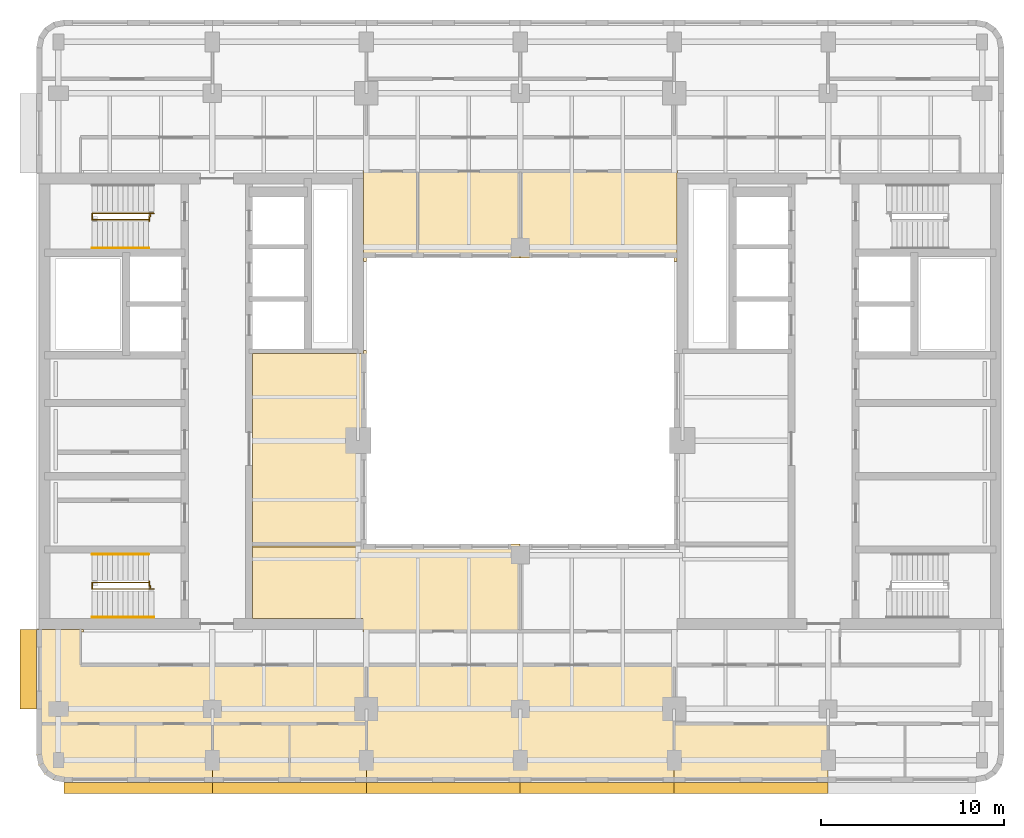
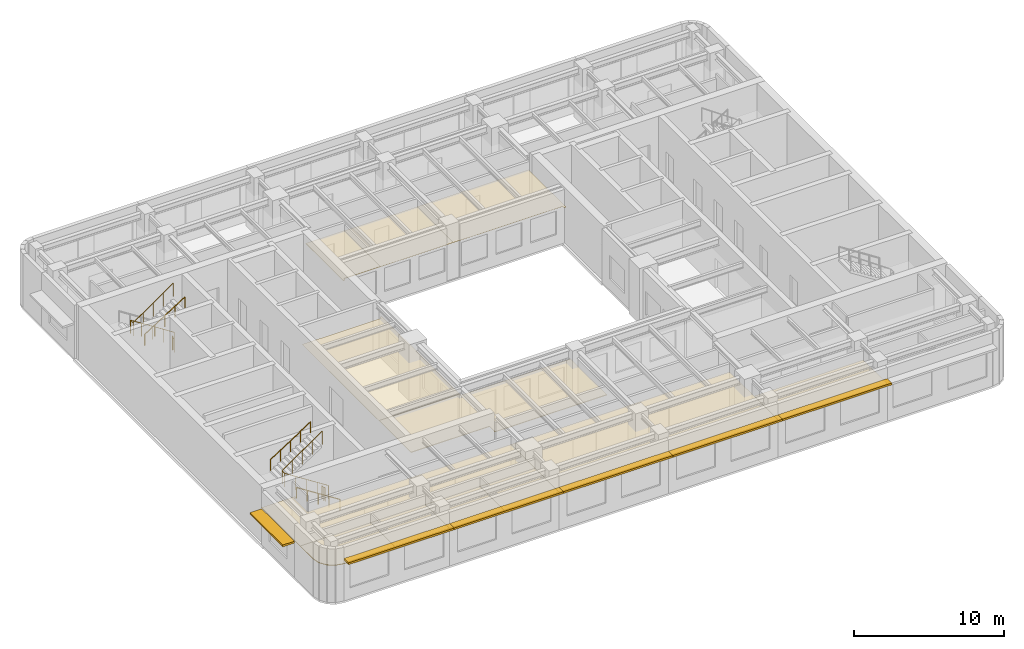
# One storey, part 9 of 11: 12 coverings, 7 railings, 6 shading devices.
"""IFC4 building model written with IfcOpenShell, lengths in metres."""

from ifc_helpers import new_model, si_unit, direction, frame, origin, origin_2d, place, context, subcontext, project, spatial, polyline, rectangle, circle, outline, extrude, material, layer, layer_set, type_object, element, save


model = new_model("IFC4")

# Units and contexts
model_context = context("Model", 3, precision=1e-05, world=origin(), true_north=direction((0.0, 1.0)))
body_context = subcontext(model_context, "Body", "Model", "MODEL_VIEW")
ifc_project = project(units=[si_unit("LENGTHUNIT", "METRE"), si_unit("AREAUNIT", "SQUARE_METRE"), si_unit("VOLUMEUNIT", "CUBIC_METRE"), si_unit("PLANEANGLEUNIT", "RADIAN"), si_unit("MASSUNIT", "GRAM", prefix="KILO")], contexts=[model_context])

# Site, building, storey
site_placement = place(None, origin())
site = spatial("IfcSite", under=ifc_project, at=site_placement, CompositionType="ELEMENT")
building_placement = place(site_placement, origin())
building = spatial("IfcBuilding", under=site, at=building_placement, Name="Claustro Exchange Tower", CompositionType="ELEMENT")
storey_placement = place(building_placement, frame((0.0, 0.0, 259.199951171875)))
storey = spatial("IfcBuildingStorey", under=building, at=storey_placement, Name="L59", CompositionType="ELEMENT", Elevation=259.199951171875)

# Coverings
ifc_material_1 = material(Name="Gypsum board ceiling", Category="gypsum board")
ifc_layer_1 = layer(ifc_material_1, 0.02490234375)
ifc_layer_set_1 = layer_set([ifc_layer_1], Name="Gypsum board ceiling")
covering_type_1 = type_object("IfcCoveringType", Name="CL2 plasterboard ceiling", PredefinedType="CEILING", material=ifc_layer_set_1)
covering_1_placement = place(storey_placement, frame((0.0, 0.0, 3.0)))
element("IfcCovering", 1, at=covering_1_placement, inside=storey, type_object=covering_type_1, Name="Ceiling CL2 L59-05", PredefinedType="CEILING", context=body_context, shape_type="SweptSolid", body=[
    extrude(outline(polyline([(33.60009765625, 4.39990234375), (42.0, 4.39990234375), (42.0, 7.60009765625), (33.60009765625, 7.60009765625), (33.60009765625, 4.39990234375)])), origin(), (0.0, 0.0, 1.0), 0.025146484375),
])
covering_2_placement = place(storey_placement, frame((0.0, 0.0, 3.0)))
element("IfcCovering", 2, at=covering_2_placement, inside=storey, type_object=covering_type_1, Name="Ceiling CL2 L59-15", PredefinedType="CEILING", context=body_context, shape_type="SweptSolid", body=[
    extrude(outline(polyline([(10.60009765625, 27.800048828125), (10.60009765625, 17.22998046875), (16.800048828125, 17.22998046875), (16.800048828125, 27.969970703125), (16.64990234375, 27.969970703125), (16.64990234375, 27.800048828125), (10.60009765625, 27.800048828125)])), origin(), (0.0, 0.0, 1.0), 0.025146484375),
])
covering_3_placement = place(storey_placement, frame((0.0, 0.0, 3.0)))
element("IfcCovering", 3, at=covering_3_placement, inside=storey, type_object=covering_type_1, Name="Ceiling CL2 L59-18", PredefinedType="CEILING", context=body_context, shape_type="SweptSolid", body=[
    extrude(outline(polyline([(19.60009765625, 33.0), (25.199951171875, 33.0), (25.199951171875, 37.800048828125), (19.60009765625, 37.800048828125), (19.60009765625, 33.0)])), origin(), (0.0, 0.0, 1.0), 0.025146484375),
])
covering_4_placement = place(storey_placement, frame((0.0, 0.0, 3.0)))
element("IfcCovering", 4, at=covering_4_placement, inside=storey, type_object=covering_type_1, Name="Ceiling CL2 L59-19", PredefinedType="CEILING", context=body_context, shape_type="SweptSolid", body=[
    extrude(outline(polyline([(33.60009765625, 33.0), (33.60009765625, 32.830078125), (33.75, 32.830078125), (33.75, 37.64990234375), (33.77001953125, 37.64990234375), (33.77001953125, 37.800048828125), (25.199951171875, 37.800048828125), (25.199951171875, 33.0), (33.60009765625, 33.0)])), origin(), (0.0, 0.0, 1.0), 0.025146484375),
])
ifc_material_2 = material(Name="Oak slats on acoustic backing", Category="wood")
ifc_layer_2 = layer(ifc_material_2, 0.050048828125)
ifc_layer_set_2 = layer_set([ifc_layer_2], Name="Oak slats on acoustic backing")
covering_type_2 = type_object("IfcCoveringType", Name="CL3 timber slat ceiling", PredefinedType="CEILING", material=ifc_layer_set_2)
covering_5_placement = place(storey_placement, frame((0.0, 0.0, 3.0)))
element("IfcCovering", 5, at=covering_5_placement, inside=storey, type_object=covering_type_2, Name="Ceiling CL3 L59-01", PredefinedType="CEILING", context=body_context, shape_type="SweptSolid", body=[
    extrude(outline(polyline([(-1.085693359375, 5.325927734375), (-0.7607421875, 4.83935546875), (-0.27392578125, 4.51416015625), (0.300048828125, 4.39990234375), (4.199951171875, 4.39990234375), (4.199951171875, 7.60009765625), (-1.199951171875, 7.60009765625), (-1.199951171875, 5.89990234375), (-1.085693359375, 5.325927734375)])), origin(), (0.0, 0.0, 1.0), 0.050048828125),
])
covering_6_placement = place(storey_placement, frame((0.0, 0.0, 3.0)))
element("IfcCovering", 6, at=covering_6_placement, inside=storey, type_object=covering_type_2, Name="Ceiling CL3 L59-02", PredefinedType="CEILING", context=body_context, shape_type="SweptSolid", body=[
    extrude(outline(polyline([(4.199951171875, 4.39990234375), (8.39990234375, 4.39990234375), (8.39990234375, 7.60009765625), (4.199951171875, 7.60009765625), (4.199951171875, 4.39990234375)])), origin(), (0.0, 0.0, 1.0), 0.050048828125),
])
covering_7_placement = place(storey_placement, frame((0.0, 0.0, 3.0)))
element("IfcCovering", 7, at=covering_7_placement, inside=storey, type_object=covering_type_2, Name="Ceiling CL3 L59-03", PredefinedType="CEILING", context=body_context, shape_type="SweptSolid", body=[
    extrude(outline(polyline([(8.39990234375, 4.39990234375), (12.60009765625, 4.39990234375), (12.60009765625, 7.60009765625), (8.39990234375, 7.60009765625), (8.39990234375, 4.39990234375)])), origin(), (0.0, 0.0, 1.0), 0.050048828125),
])
covering_8_placement = place(storey_placement, frame((0.0, 0.0, 3.0)))
element("IfcCovering", 8, at=covering_8_placement, inside=storey, type_object=covering_type_2, Name="Ceiling CL3 L59-04", PredefinedType="CEILING", context=body_context, shape_type="SweptSolid", body=[
    extrude(outline(polyline([(12.60009765625, 4.39990234375), (16.800048828125, 4.39990234375), (16.800048828125, 7.60009765625), (12.60009765625, 7.60009765625), (12.60009765625, 4.39990234375)])), origin(), (0.0, 0.0, 1.0), 0.050048828125),
])
covering_9_placement = place(storey_placement, frame((0.0, 0.0, 3.0)))
element("IfcCovering", 9, at=covering_9_placement, inside=storey, type_object=covering_type_2, Name="Ceiling CL3 L59-08", PredefinedType="CEILING", context=body_context, shape_type="SweptSolid", body=[
    extrude(outline(polyline([(16.800048828125, 4.39990234375), (33.60009765625, 4.39990234375), (33.60009765625, 7.60009765625), (33.60009765625, 10.800048828125), (16.800048828125, 10.800048828125), (16.800048828125, 7.60009765625), (16.800048828125, 4.39990234375)])), origin(), (0.0, 0.0, 1.0), 0.050048828125),
])
covering_10_placement = place(storey_placement, frame((0.0, 0.0, 3.0)))
element("IfcCovering", 10, at=covering_10_placement, inside=storey, type_object=covering_type_2, Name="Ceiling CL3 L59-09", PredefinedType="CEILING", context=body_context, shape_type="SweptSolid", body=[
    extrude(outline(polyline([(1.199951171875, 10.800048828125), (1.199951171875, 12.60009765625), (1.3701171875, 12.60009765625), (1.3701171875, 12.75), (-1.050048828125, 12.75), (-1.050048828125, 12.77001953125), (-1.199951171875, 12.77001953125), (-1.199951171875, 7.60009765625), (16.800048828125, 7.60009765625), (16.800048828125, 10.800048828125), (1.199951171875, 10.800048828125)])), origin(), (0.0, 0.0, 1.0), 0.050048828125),
])
covering_11_placement = place(storey_placement, frame((0.0, 0.0, 3.0)))
element("IfcCovering", 11, at=covering_11_placement, inside=storey, type_object=covering_type_2, Name="Ceiling CL3 L59-13", PredefinedType="CEILING", context=body_context, shape_type="SweptSolid", body=[
    extrude(outline(polyline([(25.199951171875, 17.39990234375), (16.800048828125, 17.39990234375), (16.800048828125, 17.570068359375), (10.60009765625, 17.570068359375), (10.60009765625, 13.330078125), (16.6298828125, 13.330078125), (16.6298828125, 12.60009765625), (25.199951171875, 12.60009765625), (25.199951171875, 17.39990234375)])), origin(), (0.0, 0.0, 1.0), 0.050048828125),
])
covering_12_placement = place(storey_placement, frame((0.0, 0.0, 3.0)))
element("IfcCovering", 12, at=covering_12_placement, inside=storey, type_object=covering_type_2, Name="Ceiling CL3 L59-17", PredefinedType="CEILING", context=body_context, shape_type="SweptSolid", body=[
    extrude(outline(polyline([(19.60009765625, 37.800048828125), (16.6298828125, 37.800048828125), (16.6298828125, 37.64990234375), (16.64990234375, 37.64990234375), (16.64990234375, 32.830078125), (16.800048828125, 32.830078125), (16.800048828125, 33.0), (19.60009765625, 33.0), (19.60009765625, 37.800048828125)])), origin(), (0.0, 0.0, 1.0), 0.050048828125),
])

# Railings
ifc_material_3 = material(Name="Steel balustrade, painted", Category="steel")
railing_type_1 = type_object("IfcRailingType", Name="GR2 1100 steel stair guard", PredefinedType="GUARDRAIL", material=ifc_material_3)
railing_1_placement = place(storey_placement, frame((5.199951171875, 14.949951171875, 0.179931640625)))
element("IfcRailing", 13, at=railing_1_placement, inside=storey, type_object=railing_type_1, Name="Stair well guard GR2 stair STWA L59", PredefinedType="GUARDRAIL", context=body_context, shape_type="SweptSolid", body=[
    extrude(circle(Radius=0.02392578125, at=origin_2d()), frame((0.0, 0.0, 1.076171875), z_axis=(-0.841150671818, 0.0, 0.540800838849), x_axis=(0.0, -1.0, 0.0)), (0.0, 0.0, 1.0), 3.994384765625),
    extrude(circle(Radius=0.02392578125, at=origin_2d()), frame((-3.35986328125, 0.0, 3.236328125), z_axis=(0.0, 1.0, 0.0), x_axis=(-1.0, 0.0, 0.0)), (0.0, 0.0, 1.0), 0.35009765625),
    extrude(circle(Radius=0.02392578125, at=origin_2d()), frame((-3.35986328125, 0.35009765625, 3.236328125), z_axis=(0.818728512145, 0.0, 0.574180828137), x_axis=(0.0, 1.0, 0.0)), (0.0, 0.0, 1.0), 3.76171875),
    extrude(circle(Radius=0.02099609375, at=origin_2d()), origin(), (0.0, 0.0, 1.0), 1.052001953125),
    extrude(circle(Radius=0.02099609375, at=origin_2d()), frame((-0.83984375, 0.0, 0.5400390625)), (0.0, 0.0, 1.0), 1.052001953125),
    extrude(circle(Radius=0.02099609375, at=origin_2d()), frame((-1.679931640625, 0.0, 1.080078125)), (0.0, 0.0, 1.0), 1.052001953125),
    extrude(circle(Radius=0.02099609375, at=origin_2d()), frame((-2.52001953125, 0.0, 1.6201171875)), (0.0, 0.0, 1.0), 1.052001953125),
    extrude(circle(Radius=0.02099609375, at=origin_2d()), frame((-3.35986328125, 0.0, 2.16015625)), (0.0, 0.0, 1.0), 1.052001953125),
    extrude(circle(Radius=0.02099609375, at=origin_2d()), frame((-3.35986328125, 0.35009765625, 2.16015625)), (0.0, 0.0, 1.0), 1.052001953125),
    extrude(circle(Radius=0.02099609375, at=origin_2d()), frame((-2.58984375, 0.35009765625, 2.7001953125)), (0.0, 0.0, 1.0), 1.052001953125),
    extrude(circle(Radius=0.02099609375, at=origin_2d()), frame((-1.81982421875, 0.35009765625, 3.240234375)), (0.0, 0.0, 1.0), 1.052001953125),
    extrude(circle(Radius=0.02099609375, at=origin_2d()), frame((-1.050048828125, 0.35009765625, 3.780029296875)), (0.0, 0.0, 1.0), 1.052001953125),
    extrude(circle(Radius=0.02099609375, at=origin_2d()), frame((-0.280029296875, 0.35009765625, 4.320068359375)), (0.0, 0.0, 1.0), 1.052001953125),
])
railing_2_placement = place(storey_placement, frame((5.0, 15.02001953125, 0.0)))
element("IfcRailing", 14, at=railing_2_placement, inside=storey, type_object=railing_type_1, Name="Stair guard GR2 STWA L59", PredefinedType="GUARDRAIL", context=body_context, shape_type="SweptSolid", body=[
    extrude(circle(Radius=0.02392578125, at=origin_2d()), frame((0.0, 0.0, 1.076171875), z_axis=(0.0, 1.0, 0.0), x_axis=(-1.0, 0.0, 0.0)), (0.0, 0.0, 1.0), 0.10498046875),
    extrude(circle(Radius=0.02392578125, at=origin_2d()), frame((0.0, 0.10498046875, 1.076171875), z_axis=(-1.0, 0.0, 0.0), x_axis=(0.0, -1.0, 0.0)), (0.0, 0.0, 1.0), 0.054931640625),
    extrude(circle(Radius=0.02392578125, at=origin_2d()), frame((-0.054931640625, 0.10498046875, 1.076171875), z_axis=(0.0, 1.0, 0.0), x_axis=(-1.0, 0.0, 0.0)), (0.0, 0.0, 1.0), 0.2548828125),
    extrude(circle(Radius=0.02099609375, at=origin_2d()), origin(), (0.0, 0.0, 1.0), 1.052001953125),
    extrude(circle(Radius=0.02099609375, at=origin_2d()), frame((0.0, 0.10498046875, 0.0)), (0.0, 0.0, 1.0), 1.052001953125),
    extrude(circle(Radius=0.02099609375, at=origin_2d()), frame((-0.054931640625, 0.10498046875, 0.0)), (0.0, 0.0, 1.0), 1.052001953125),
    extrude(circle(Radius=0.02099609375, at=origin_2d()), frame((-0.054931640625, 0.35986328125, 0.0)), (0.0, 0.0, 1.0), 1.052001953125),
])
railing_3_placement = place(storey_placement, frame((5.199951171875, 35.449951171875, 0.179931640625)))
element("IfcRailing", 15, at=railing_3_placement, inside=storey, type_object=railing_type_1, Name="Stair well guard GR2 stair STWB L59", PredefinedType="GUARDRAIL", context=body_context, shape_type="SweptSolid", body=[
    extrude(circle(Radius=0.02392578125, at=origin_2d()), frame((0.0, 0.0, 1.076171875), z_axis=(-0.841150671818, 0.0, 0.540800838849), x_axis=(0.0, -1.0, 0.0)), (0.0, 0.0, 1.0), 3.994384765625),
    extrude(circle(Radius=0.02392578125, at=origin_2d()), frame((-3.35986328125, 0.0, 3.236328125), z_axis=(0.0, -1.0, 0.0), x_axis=(1.0, 0.0, 0.0)), (0.0, 0.0, 1.0), 0.349853515625),
    extrude(circle(Radius=0.02392578125, at=origin_2d()), frame((-3.35986328125, -0.349853515625, 3.236328125), z_axis=(0.818728512145, 0.0, 0.574180828137), x_axis=(0.0, 1.0, 0.0)), (0.0, 0.0, 1.0), 3.76171875),
    extrude(circle(Radius=0.02099609375, at=origin_2d()), origin(), (0.0, 0.0, 1.0), 1.052001953125),
    extrude(circle(Radius=0.02099609375, at=origin_2d()), frame((-0.83984375, 0.0, 0.5400390625)), (0.0, 0.0, 1.0), 1.052001953125),
    extrude(circle(Radius=0.02099609375, at=origin_2d()), frame((-1.679931640625, 0.0, 1.080078125)), (0.0, 0.0, 1.0), 1.052001953125),
    extrude(circle(Radius=0.02099609375, at=origin_2d()), frame((-2.52001953125, 0.0, 1.6201171875)), (0.0, 0.0, 1.0), 1.052001953125),
    extrude(circle(Radius=0.02099609375, at=origin_2d()), frame((-3.35986328125, 0.0, 2.16015625)), (0.0, 0.0, 1.0), 1.052001953125),
    extrude(circle(Radius=0.02099609375, at=origin_2d()), frame((-3.35986328125, -0.349853515625, 2.16015625)), (0.0, 0.0, 1.0), 1.052001953125),
    extrude(circle(Radius=0.02099609375, at=origin_2d()), frame((-2.58984375, -0.349853515625, 2.7001953125)), (0.0, 0.0, 1.0), 1.052001953125),
    extrude(circle(Radius=0.02099609375, at=origin_2d()), frame((-1.81982421875, -0.349853515625, 3.240234375)), (0.0, 0.0, 1.0), 1.052001953125),
    extrude(circle(Radius=0.02099609375, at=origin_2d()), frame((-1.050048828125, -0.349853515625, 3.780029296875)), (0.0, 0.0, 1.0), 1.052001953125),
    extrude(circle(Radius=0.02099609375, at=origin_2d()), frame((-0.280029296875, -0.349853515625, 4.320068359375)), (0.0, 0.0, 1.0), 1.052001953125),
])
railing_4_placement = place(storey_placement, frame((5.0, 35.3798828125, 0.0)))
element("IfcRailing", 16, at=railing_4_placement, inside=storey, type_object=railing_type_1, Name="Stair guard GR2 STWB L59", PredefinedType="GUARDRAIL", context=body_context, shape_type="SweptSolid", body=[
    extrude(circle(Radius=0.02392578125, at=origin_2d()), frame((0.0, 0.0, 1.076171875), z_axis=(0.0, -1.0, 0.0), x_axis=(1.0, 0.0, 0.0)), (0.0, 0.0, 1.0), 0.10498046875),
    extrude(circle(Radius=0.02392578125, at=origin_2d()), frame((0.0, -0.10498046875, 1.076171875), z_axis=(-1.0, 0.0, 0.0), x_axis=(0.0, -1.0, 0.0)), (0.0, 0.0, 1.0), 0.054931640625),
    extrude(circle(Radius=0.02392578125, at=origin_2d()), frame((-0.054931640625, -0.10498046875, 1.076171875), z_axis=(0.0, -1.0, 0.0), x_axis=(1.0, 0.0, 0.0)), (0.0, 0.0, 1.0), 0.2548828125),
    extrude(circle(Radius=0.02099609375, at=origin_2d()), origin(), (0.0, 0.0, 1.0), 1.052001953125),
    extrude(circle(Radius=0.02099609375, at=origin_2d()), frame((0.0, -0.10498046875, 0.0)), (0.0, 0.0, 1.0), 1.052001953125),
    extrude(circle(Radius=0.02099609375, at=origin_2d()), frame((-0.054931640625, -0.10498046875, 0.0)), (0.0, 0.0, 1.0), 1.052001953125),
    extrude(circle(Radius=0.02099609375, at=origin_2d()), frame((-0.054931640625, -0.35986328125, 0.0)), (0.0, 0.0, 1.0), 1.052001953125),
])
ifc_material_4 = material(Name="Stainless steel tube", Category="steel")
railing_type_2 = type_object("IfcRailingType", Name="HR1 900 stair handrail", PredefinedType="HANDRAIL", material=ifc_material_4)
railing_5_placement = place(storey_placement, frame((5.199951171875, 13.409912109375, 0.179931640625)))
element("IfcRailing", 17, at=railing_5_placement, inside=storey, type_object=railing_type_2, Name="Handrail HR1 stair STWA L59", PredefinedType="HANDRAIL", context=body_context, shape_type="SweptSolid", body=[
    extrude(circle(Radius=0.02392578125, at=origin_2d()), frame((0.0, 0.0, 0.8759765625), z_axis=(-0.841150671818, 0.0, 0.540800838849), x_axis=(0.0, -1.0, 0.0)), (0.0, 0.0, 1.0), 3.994384765625),
    extrude(circle(Radius=0.02099609375, at=origin_2d()), origin(), (0.0, 0.0, 1.0), 0.851806640625),
    extrude(circle(Radius=0.02099609375, at=origin_2d()), frame((-0.83984375, 0.0, 0.5400390625)), (0.0, 0.0, 1.0), 0.851806640625),
    extrude(circle(Radius=0.02099609375, at=origin_2d()), frame((-1.679931640625, 0.0, 1.080078125)), (0.0, 0.0, 1.0), 0.851806640625),
    extrude(circle(Radius=0.02099609375, at=origin_2d()), frame((-2.52001953125, 0.0, 1.6201171875)), (0.0, 0.0, 1.0), 0.851806640625),
    extrude(circle(Radius=0.02099609375, at=origin_2d()), frame((-3.35986328125, 0.0, 2.16015625)), (0.0, 0.0, 1.0), 0.851806640625),
])
for number, where, name in (
    (18, (1.840087890625, 16.840087890625, 2.52001953125), "Handrail HR1 stair STWA L59"),
    (19, (1.840087890625, 33.56005859375, 2.52001953125), "Handrail HR1 stair STWB L59"),
):
    element("IfcRailing", number, at=place(storey_placement, frame(where)), inside=storey, type_object=railing_type_2, Name=name, PredefinedType="HANDRAIL", context=body_context, shape_type="SweptSolid", body=[
        extrude(circle(Radius=0.02392578125, at=origin_2d()), frame((0.0, 0.0, 0.8759765625), z_axis=(0.841167642724, 0.0, 0.540774441735), x_axis=(0.0, 1.0, 0.0)), (0.0, 0.0, 1.0), 3.661376953125),
        extrude(circle(Radius=0.02099609375, at=origin_2d()), origin(), (0.0, 0.0, 1.0), 0.851806640625),
        extrude(circle(Radius=0.02099609375, at=origin_2d()), frame((0.77001953125, 0.0, 0.4951171875)), (0.0, 0.0, 1.0), 0.851806640625),
        extrude(circle(Radius=0.02099609375, at=origin_2d()), frame((1.5400390625, 0.0, 0.989990234375)), (0.0, 0.0, 1.0), 0.851806640625),
        extrude(circle(Radius=0.02099609375, at=origin_2d()), frame((2.309814453125, 0.0, 1.48486328125)), (0.0, 0.0, 1.0), 0.851806640625),
        extrude(circle(Radius=0.02099609375, at=origin_2d()), frame((3.079833984375, 0.0, 1.97998046875)), (0.0, 0.0, 1.0), 0.851806640625),
    ])

# Shading devices
ifc_material_5 = material(Name="Concrete HA-40 (C40/50), precast, white cement, acid-etched", Category="concrete")
ifc_layer_3 = layer(ifc_material_5, 0.14990234375)
ifc_layer_set_3 = layer_set([ifc_layer_3], Name="Concrete HA-40 (C40/50), precast, white cement, acid-etched")
shading_device_type_1 = type_object("IfcShadingDeviceType", Name="SS1 600 precast concrete SUNSHADE", PredefinedType="SHUTTER", material=ifc_layer_set_3)
for number, where, z_axis, x_axis, name in (
    (20, (37.800048828125, 4.10009765625, 3.300048828125), (0.0, 0.0, 1.0), (-1.0, 0.0, 0.0), "Precast SUNSHADE SS1 L59"),
    (21, (29.39990234375, 4.10009765625, 3.300048828125), (0.0, 0.0, 1.0), (-1.0, 0.0, 0.0), "Precast SUNSHADE SS1 L59"),
    (22, (21.0, 4.10009765625, 3.300048828125), (0.0, 0.0, 1.0), (-1.0, 0.0, 0.0), "Precast SUNSHADE SS1 L59"),
    (23, (12.60009765625, 4.10009765625, 3.300048828125), (0.0, 0.0, 1.0), (-1.0, 0.0, 0.0), "Precast SUNSHADE SS1 L59"),
):
    element("IfcShadingDevice", number, at=place(storey_placement, frame(where, z_axis=z_axis, x_axis=x_axis)), inside=storey, type_object=shading_device_type_1, Name=name, PredefinedType="SHUTTER", context=body_context, shape_type="SweptSolid", body=[
        extrude(rectangle(XDim=8.39990234375, YDim=0.60009765625, at=origin_2d()), origin(), (0.0, 0.0, 1.0), 0.14990234375),
    ])
shading_device_1_placement = place(storey_placement, frame((4.357421875, 4.10009765625, 3.300048828125), z_axis=(0.0, 0.0, 1.0), x_axis=(-1.0, 0.0, 0.0)))
element("IfcShadingDevice", 24, at=shading_device_1_placement, inside=storey, type_object=shading_device_type_1, Name="Precast SUNSHADE SS1 L59", PredefinedType="SHUTTER", context=body_context, shape_type="SweptSolid", body=[
    extrude(rectangle(XDim=8.085205078125, YDim=0.60009765625, at=origin_2d()), origin(), (0.0, 0.0, 1.0), 0.14990234375),
])
ifc_material_6 = material(Name="Concrete HA-40 (C40/50), precast, white cement, acid-etched", Category="concrete")
ifc_layer_4 = layer(ifc_material_6, 0.14990234375)
ifc_layer_set_4 = layer_set([ifc_layer_4], Name="Concrete HA-40 (C40/50), precast, white cement, acid-etched")
shading_device_type_2 = type_object("IfcShadingDeviceType", Name="SS2 900 precast concrete SUNSHADE", PredefinedType="SHUTTER", material=ifc_layer_set_4)
shading_device_2_placement = place(storey_placement, frame((-1.64990234375, 10.574951171875, 2.800048828125), z_axis=(0.0, 0.0, 1.0), x_axis=(0.0, 1.0, 0.0)))
element("IfcShadingDevice", 25, at=shading_device_2_placement, inside=storey, type_object=shading_device_type_2, Name="Precast SUNSHADE SS2 L59", PredefinedType="SHUTTER", context=body_context, shape_type="SweptSolid", body=[
    extrude(rectangle(XDim=4.35009765625, YDim=0.89990234375, at=origin_2d()), origin(), (0.0, 0.0, 1.0), 0.14990234375),
])

save(model, "model.ifc")
